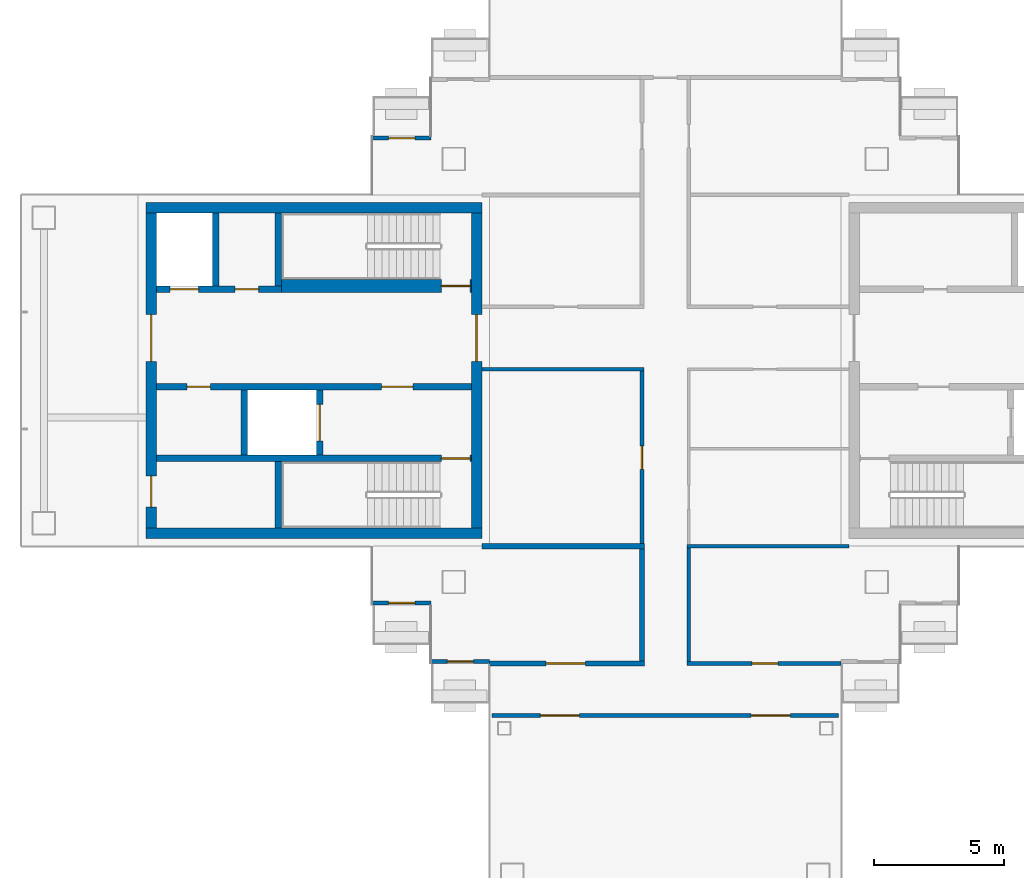
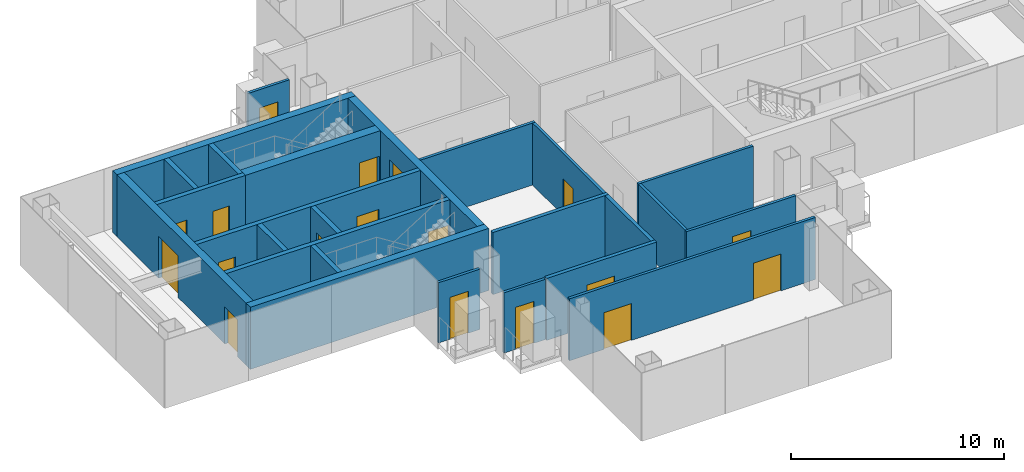
# One storey, part 9 of 16: 25 walls, 18 doors, 18 openings.
"""IFC4 building model written with IfcOpenShell, lengths in metres."""

from ifc_helpers import new_model, si_unit, direction, frame, frame_2d, origin, place, context, subcontext, project, spatial, rectangle, extrude, material, layer, layer_set, type_object, element, fill, save


model = new_model("IFC4")

# Units and contexts
model_context = context("Model", 3, precision=1e-05, world=origin(), true_north=direction((0.0, 1.0)))
body_context = subcontext(model_context, "Body", "Model", "MODEL_VIEW")
ifc_project = project(units=[si_unit("LENGTHUNIT", "METRE"), si_unit("AREAUNIT", "SQUARE_METRE"), si_unit("VOLUMEUNIT", "CUBIC_METRE"), si_unit("PLANEANGLEUNIT", "RADIAN"), si_unit("MASSUNIT", "GRAM", prefix="KILO")], contexts=[model_context])

# Site, building, storey
site_placement = place(None, origin())
site = spatial("IfcSite", under=ifc_project, at=site_placement, CompositionType="ELEMENT")
building_placement = place(site_placement, origin())
building = spatial("IfcBuilding", under=site, at=building_placement, Name="Shamsa Quay Exchange Towers", CompositionType="ELEMENT")
storey_placement = place(building_placement, frame((0.0, 0.0, 261.60009765625)))
storey = spatial("IfcBuildingStorey", under=building, at=storey_placement, Name="L63", CompositionType="ELEMENT", Elevation=261.60009765625)

# Wall, opening, door
ifc_material_1 = material(Name="Double-leaf gypsum board partition with acoustic insulation")
ifc_layer_1 = layer(ifc_material_1, 0.199951171875)
ifc_layer_set_1 = layer_set([ifc_layer_1], Name="Acoustic partition 200 mm EI 60")
wall_type_1 = type_object("IfcWallType", Name="Acoustic partition 200 mm EI 60", PredefinedType="PARTITIONING", material=ifc_layer_set_1)
wall_1_placement = place(storey_placement, frame((-40.5, -11.25, 0.0)))
wall_1 = element("IfcWall", 1, at=wall_1_placement, inside=storey, type_object=wall_type_1, Name="Partition T1-R29-W12", PredefinedType="PARTITIONING", context=body_context, shape_type="SweptSolid", body=[
    extrude(rectangle(XDim=5.94970703125, YDim=0.199951171875, at=frame_2d((2.974853515625, 0.0))), origin(), (0.0, 0.0, 1.0), 3.5498046875),
])
opening_1_placement = place(wall_1_placement, frame((2.1748046875, 0.0, 0.0)))
opening_1 = element("IfcOpeningElement", 2, at=opening_1_placement, cuts=wall_1, Name="Opening T1-R29-D03", PredefinedType="OPENING", context=body_context, shape_type="SweptSolid", body=[
    extrude(rectangle(XDim=1.5, YDim=2.39990234375, at=frame_2d((0.75, 1.199951171875))), frame((0.0, 0.10986328125, 0.0), z_axis=(0.0, -1.0, 0.0), x_axis=(1.0, 0.0, 0.0)), (0.0, 0.0, 1.0), 0.219970703125),
])
ifc_material_2 = material(Name="Timber door leaf in a metal frame", Category="wood")
door_type_1 = type_object("IfcDoorType", Name="Door 1500x2400 FD30S pair", OperationType="NOTDEFINED", PredefinedType="DOOR", material=ifc_material_2)
door_1_placement = place(opening_1_placement, origin())
door_1 = element("IfcDoor", 3, at=door_1_placement, inside=storey, type_object=door_type_1, Name="Door T1-R29-D03", OperationType="DOUBLE_DOOR_SINGLE_SWING", OverallHeight=2.39990234375, OverallWidth=1.5, PredefinedType="DOOR", context=body_context, shape_type="SweptSolid", body=[
    extrude(rectangle(XDim=1.5, YDim=2.39990234375, at=frame_2d((0.75, 1.199951171875))), frame((0.0, 0.02490234375, 0.0), z_axis=(0.0, -1.0, 0.0), x_axis=(1.0, 0.0, 0.0)), (0.0, 0.0, 1.0), 0.050048828125),
])
fill(opening_1, door_1)

# Walls
wall_2_placement = place(storey_placement, frame((-34.650390625, -11.14990234375, 0.0), z_axis=(0.0, 0.0, 1.0), x_axis=(0.0, 1.0, 0.0)))
element("IfcWall", 4, at=wall_2_placement, inside=storey, type_object=wall_type_1, Name="Partition T1-R29-W13", PredefinedType="PARTITIONING", context=body_context, shape_type="SweptSolid", body=[
    extrude(rectangle(XDim=4.2998046875, YDim=0.199951171875, at=frame_2d((2.14990234375, 0.0))), origin(), (0.0, 0.0, 1.0), 3.5498046875),
])
wall_3_placement = place(storey_placement, frame((-40.800048828125, -6.75, 0.0)))
element("IfcWall", 5, at=wall_3_placement, inside=storey, type_object=wall_type_1, Name="Partition T1-R29-W19", PredefinedType="PARTITIONING", context=body_context, shape_type="SweptSolid", body=[
    extrude(rectangle(XDim=6.249755859375, YDim=0.199951171875, at=frame_2d((3.125, 0.0))), origin(), (0.0, 0.0, 1.0), 3.5498046875),
])

# Wall, opening, door
ifc_material_3 = material(Name="Aluminium EN AW-6063 T6, black anodised, with black enamelled glass infill", Category="aluminium")
ifc_layer_2 = layer(ifc_material_3, 0.14990234375)
ifc_layer_set_2 = layer_set([ifc_layer_2], Name="BALCONY DOOR BAY WALL 150")
wall_type_2 = type_object("IfcWallType", Name="BALCONY DOOR BAY WALL 150", PredefinedType="SOLIDWALL", material=ifc_layer_set_2)
wall_4_placement = place(storey_placement, frame((-45.0, 8.925048828125, 0.0)))
wall_4 = element("IfcWall", 6, at=wall_4_placement, inside=storey, type_object=wall_type_2, Name="Door bay T1-PKWN L63", PredefinedType="SOLIDWALL", context=body_context, shape_type="SweptSolid", body=[
    extrude(rectangle(XDim=2.25, YDim=0.14990234375, at=frame_2d((1.125, 0.0))), origin(), (0.0, 0.0, 1.0), 3.449951171875),
])
opening_2_placement = place(wall_4_placement, frame((0.625, 0.0, 0.0)))
opening_2 = element("IfcOpeningElement", 7, at=opening_2_placement, cuts=wall_4, Name="Opening XD430", PredefinedType="OPENING", context=body_context, shape_type="SweptSolid", body=[
    extrude(rectangle(XDim=1.0, YDim=2.39990234375, at=frame_2d((0.5, 1.199951171875))), frame((0.0, 0.0849609375, 0.0), z_axis=(0.0, -1.0, 0.0), x_axis=(1.0, 0.0, 0.0)), (0.0, 0.0, 1.0), 0.169921875),
])
ifc_material_4 = material(Name="Aluminium EN AW-6063 T6, black anodised, with laminated glass leaf", Category="aluminium")
door_type_2 = type_object("IfcDoorType", Name="BALCONY DOOR 1000x2400", OperationType="SINGLE_SWING_LEFT", PredefinedType="DOOR", material=ifc_material_4)
door_2_placement = place(opening_2_placement, origin())
door_2 = element("IfcDoor", 8, at=door_2_placement, inside=storey, type_object=door_type_2, Name="Balcony door T1-PKWN L63", OperationType="SINGLE_SWING_RIGHT", OverallHeight=2.39990234375, OverallWidth=1.0, PredefinedType="DOOR", context=body_context, shape_type="SweptSolid", body=[
    extrude(rectangle(XDim=1.0, YDim=2.39990234375, at=frame_2d((0.5, 1.199951171875))), frame((0.0, 0.02490234375, 0.0), z_axis=(0.0, -1.0, 0.0), x_axis=(1.0, 0.0, 0.0)), (0.0, 0.0, 1.0), 0.050048828125),
])
fill(opening_2, door_2)

wall_5_placement = place(storey_placement, frame((-42.75, -8.925048828125, 0.0), z_axis=(0.0, 0.0, 1.0), x_axis=(-1.0, 0.0, 0.0)))
wall_5 = element("IfcWall", 9, at=wall_5_placement, inside=storey, type_object=wall_type_2, Name="Door bay T1-PKWS L63", PredefinedType="SOLIDWALL", context=body_context, shape_type="SweptSolid", body=[
    extrude(rectangle(XDim=2.25, YDim=0.14990234375, at=frame_2d((1.125, 0.0))), origin(), (0.0, 0.0, 1.0), 3.449951171875),
])
opening_3_placement = place(wall_5_placement, frame((0.625, 0.0, 0.0)))
opening_3 = element("IfcOpeningElement", 10, at=opening_3_placement, cuts=wall_5, Name="Opening XD431", PredefinedType="OPENING", context=body_context, shape_type="SweptSolid", body=[
    extrude(rectangle(XDim=1.0, YDim=2.39990234375, at=frame_2d((0.5, 1.199951171875))), frame((0.0, 0.0849609375, 0.0), z_axis=(0.0, -1.0, 0.0), x_axis=(1.0, 0.0, 0.0)), (0.0, 0.0, 1.0), 0.169921875),
])
door_3_placement = place(opening_3_placement, origin())
door_3 = element("IfcDoor", 11, at=door_3_placement, inside=storey, type_object=door_type_2, Name="Balcony door T1-PKWS L63", OperationType="SINGLE_SWING_LEFT", OverallHeight=2.39990234375, OverallWidth=1.0, PredefinedType="DOOR", context=body_context, shape_type="SweptSolid", body=[
    extrude(rectangle(XDim=1.0, YDim=2.39990234375, at=frame_2d((0.5, 1.199951171875))), frame((0.0, 0.02490234375, 0.0), z_axis=(0.0, -1.0, 0.0), x_axis=(1.0, 0.0, 0.0)), (0.0, 0.0, 1.0), 0.050048828125),
])
fill(opening_3, door_3)

wall_6_placement = place(storey_placement, frame((-40.5, -11.175048828125, 0.0), z_axis=(0.0, 0.0, 1.0), x_axis=(-1.0, 0.0, 0.0)))
wall_6 = element("IfcWall", 12, at=wall_6_placement, inside=storey, type_object=wall_type_2, Name="Door bay T1-PKWS L63", PredefinedType="SOLIDWALL", context=body_context, shape_type="SweptSolid", body=[
    extrude(rectangle(XDim=2.25, YDim=0.14990234375, at=frame_2d((1.125, 0.0))), origin(), (0.0, 0.0, 1.0), 3.449951171875),
])
opening_4_placement = place(wall_6_placement, frame((0.625, 0.0, 0.0)))
opening_4 = element("IfcOpeningElement", 13, at=opening_4_placement, cuts=wall_6, Name="Opening XD432", PredefinedType="OPENING", context=body_context, shape_type="SweptSolid", body=[
    extrude(rectangle(XDim=1.0, YDim=2.39990234375, at=frame_2d((0.5, 1.199951171875))), frame((0.0, 0.0849609375, 0.0), z_axis=(0.0, -1.0, 0.0), x_axis=(1.0, 0.0, 0.0)), (0.0, 0.0, 1.0), 0.169921875),
])
door_4_placement = place(opening_4_placement, origin())
door_4 = element("IfcDoor", 14, at=door_4_placement, inside=storey, type_object=door_type_2, Name="Balcony door T1-PKWS L63", OperationType="SINGLE_SWING_RIGHT", OverallHeight=2.39990234375, OverallWidth=1.0, PredefinedType="DOOR", context=body_context, shape_type="SweptSolid", body=[
    extrude(rectangle(XDim=1.0, YDim=2.39990234375, at=frame_2d((0.5, 1.199951171875))), frame((0.0, 0.02490234375, 0.0), z_axis=(0.0, -1.0, 0.0), x_axis=(1.0, 0.0, 0.0)), (0.0, 0.0, 1.0), 0.050048828125),
])
fill(opening_4, door_4)

# Walls
ifc_material_5 = material(Name="Concrete C60/75", Category="concrete")
ifc_layer_3 = layer(ifc_material_5, 0.39990234375)
ifc_layer_set_3 = layer_set([ifc_layer_3], Name="CORE WALL 400 C60/75")
wall_type_3 = type_object("IfcWallType", Name="CORE WALL 400 C60/75", PredefinedType="SHEAR", material=ifc_layer_set_3)
for number, where, z_axis, x_axis, name in (
    (15, (-40.800048828125, -6.25, 0.0), (0.0, 0.0, 1.0), (-1.0, 0.0, 0.0), "Core wall T1B-R29-PS"),
    (16, (-40.800048828125, 6.25, 0.0), (0.0, 0.0, 1.0), (-1.0, 0.0, 0.0), "Core wall T1B-R29-PN"),
):
    element("IfcWall", number, at=place(storey_placement, frame(where, z_axis=z_axis, x_axis=x_axis)), inside=storey, type_object=wall_type_3, Name=name, PredefinedType="SHEAR", context=body_context, shape_type="SweptSolid", body=[
        extrude(rectangle(XDim=12.89990234375, YDim=0.39990234375, at=frame_2d((6.449951171875, 0.0))), origin(), (0.0, 0.0, 1.0), 3.5498046875),
    ])

# Wall, opening, door
wall_7_placement = place(storey_placement, frame((-41.0, -6.050048828125, 0.0), z_axis=(0.0, 0.0, 1.0), x_axis=(0.0, 1.0, 0.0)))
wall_7 = element("IfcWall", 17, at=wall_7_placement, inside=storey, type_object=wall_type_3, Name="Core wall T1B-R29-PF", PredefinedType="SHEAR", context=body_context, shape_type="SweptSolid", body=[
    extrude(rectangle(XDim=12.10009765625, YDim=0.39990234375, at=frame_2d((6.050048828125, 0.0))), origin(), (0.0, 0.0, 1.0), 3.5498046875),
])
opening_5_placement = place(wall_7_placement, frame((6.39990234375, 0.0, 0.0)))
opening_5 = element("IfcOpeningElement", 18, at=opening_5_placement, cuts=wall_7, Name="Opening T1B-R29-LBD01", PredefinedType="OPENING", context=body_context, shape_type="SweptSolid", body=[
    extrude(rectangle(XDim=1.800048828125, YDim=2.39990234375, at=frame_2d((0.89990234375, 1.199951171875))), frame((0.0, 0.2099609375, 0.0), z_axis=(0.0, -1.0, 0.0), x_axis=(1.0, 0.0, 0.0)), (0.0, 0.0, 1.0), 0.419921875),
])
ifc_material_6 = material(Name="Steel, fire rated", Category="steel")
door_type_3 = type_object("IfcDoorType", Name="LIFT LOBBY DOOR PAIR 1800", OperationType="DOUBLE_DOOR_SINGLE_SWING", PredefinedType="DOOR", material=ifc_material_6)
door_5_placement = place(opening_5_placement, origin())
door_5 = element("IfcDoor", 19, at=door_5_placement, inside=storey, type_object=door_type_3, Name="T1B-R29-LBD01", OperationType="DOUBLE_DOOR_SINGLE_SWING", OverallHeight=2.39990234375, OverallWidth=1.800048828125, PredefinedType="DOOR", context=body_context, shape_type="SweptSolid", body=[
    extrude(rectangle(XDim=1.800048828125, YDim=2.39990234375, at=frame_2d((0.89990234375, 1.199951171875))), frame((0.0, 0.02490234375, 0.0), z_axis=(0.0, -1.0, 0.0), x_axis=(1.0, 0.0, 0.0)), (0.0, 0.0, 1.0), 0.050048828125),
])
fill(opening_5, door_5)

# Wall, openings, doors
wall_8_placement = place(storey_placement, frame((-53.5, -6.050048828125, 0.0), z_axis=(0.0, 0.0, 1.0), x_axis=(0.0, 1.0, 0.0)))
wall_8 = element("IfcWall", 20, at=wall_8_placement, inside=storey, type_object=wall_type_3, Name="Core wall T1B-R29-PB", PredefinedType="SHEAR", context=body_context, shape_type="SweptSolid", body=[
    extrude(rectangle(XDim=12.10009765625, YDim=0.39990234375, at=frame_2d((6.050048828125, 0.0))), origin(), (0.0, 0.0, 1.0), 3.5498046875),
])
opening_6_placement = place(wall_8_placement, frame((0.800048828125, 0.0, 0.0)))
opening_6 = element("IfcOpeningElement", 21, at=opening_6_placement, cuts=wall_8, Name="Opening T1B-R29-RD02", PredefinedType="OPENING", context=body_context, shape_type="SweptSolid", body=[
    extrude(rectangle(XDim=1.199951171875, YDim=2.10009765625, at=frame_2d((0.60009765625, 1.050048828125))), frame((0.0, 0.2099609375, 0.0), z_axis=(0.0, -1.0, 0.0), x_axis=(1.0, 0.0, 0.0)), (0.0, 0.0, 1.0), 0.419921875),
])
opening_7_placement = place(wall_8_placement, frame((6.39990234375, 0.0, 0.0)))
opening_7 = element("IfcOpeningElement", 22, at=opening_7_placement, cuts=wall_8, Name="Opening T1B-R29-LBD03", PredefinedType="OPENING", context=body_context, shape_type="SweptSolid", body=[
    extrude(rectangle(XDim=1.800048828125, YDim=2.39990234375, at=frame_2d((0.89990234375, 1.199951171875))), frame((0.0, 0.2099609375, 0.0), z_axis=(0.0, -1.0, 0.0), x_axis=(1.0, 0.0, 0.0)), (0.0, 0.0, 1.0), 0.419921875),
])
door_6_placement = place(opening_7_placement, origin())
door_6 = element("IfcDoor", 23, at=door_6_placement, inside=storey, type_object=door_type_3, Name="T1B-R29-LBD03", OperationType="DOUBLE_DOOR_SINGLE_SWING", OverallHeight=2.39990234375, OverallWidth=1.800048828125, PredefinedType="DOOR", context=body_context, shape_type="SweptSolid", body=[
    extrude(rectangle(XDim=1.800048828125, YDim=2.39990234375, at=frame_2d((0.89990234375, 1.199951171875))), frame((0.0, 0.02490234375, 0.0), z_axis=(0.0, -1.0, 0.0), x_axis=(1.0, 0.0, 0.0)), (0.0, 0.0, 1.0), 0.050048828125),
])
fill(opening_7, door_6)
door_type_4 = type_object("IfcDoorType", Name="RISER ACCESS DOOR 1200", OperationType="SINGLE_SWING_LEFT", PredefinedType="DOOR", material=ifc_material_6)
door_7_placement = place(opening_6_placement, origin())
door_7 = element("IfcDoor", 24, at=door_7_placement, inside=storey, type_object=door_type_4, Name="T1B-R29-RD02", OperationType="SINGLE_SWING_LEFT", OverallHeight=2.10009765625, OverallWidth=1.199951171875, PredefinedType="DOOR", context=body_context, shape_type="SweptSolid", body=[
    extrude(rectangle(XDim=1.199951171875, YDim=2.10009765625, at=frame_2d((0.60009765625, 1.050048828125))), frame((0.0, 0.02490234375, 0.0), z_axis=(0.0, -1.0, 0.0), x_axis=(1.0, 0.0, 0.0)), (0.0, 0.0, 1.0), 0.050048828125),
])
fill(opening_6, door_7)

# Wall, opening, door
ifc_material_7 = material(Name="Gypsum board partition on metal studs")
ifc_layer_4 = layer(ifc_material_7, 0.14990234375)
ifc_layer_set_4 = layer_set([ifc_layer_4], Name="Partition 150 mm EI 60")
wall_type_4 = type_object("IfcWallType", Name="Partition 150 mm EI 60", PredefinedType="PARTITIONING", material=ifc_layer_set_4)
wall_9_placement = place(storey_placement, frame((-34.650390625, -6.64990234375, 0.0), z_axis=(0.0, 0.0, 1.0), x_axis=(0.0, 1.0, 0.0)))
wall_9 = element("IfcWall", 25, at=wall_9_placement, inside=storey, type_object=wall_type_4, Name="Partition T1-R29-W06", PredefinedType="PARTITIONING", context=body_context, shape_type="SweptSolid", body=[
    extrude(rectangle(XDim=6.624755859375, YDim=0.14990234375, at=frame_2d((3.3125, 0.0))), origin(), (0.0, 0.0, 1.0), 3.5498046875),
])
opening_8_placement = place(wall_9_placement, frame((2.849853515625, 0.0, 0.0)))
opening_8 = element("IfcOpeningElement", 26, at=opening_8_placement, cuts=wall_9, Name="Opening T1-R29-D05", PredefinedType="OPENING", context=body_context, shape_type="SweptSolid", body=[
    extrude(rectangle(XDim=0.89990234375, YDim=2.10009765625, at=frame_2d((0.449951171875, 1.050048828125))), frame((0.0, 0.0849609375, 0.0), z_axis=(0.0, -1.0, 0.0), x_axis=(1.0, 0.0, 0.0)), (0.0, 0.0, 1.0), 0.169921875),
])
door_type_5 = type_object("IfcDoorType", Name="Door 900x2100 FD30S", OperationType="NOTDEFINED", PredefinedType="DOOR", material=ifc_material_2)
door_8_placement = place(opening_8_placement, origin())
door_8 = element("IfcDoor", 27, at=door_8_placement, inside=storey, type_object=door_type_5, Name="Door T1-R29-D05", OperationType="SINGLE_SWING_RIGHT", OverallHeight=2.10009765625, OverallWidth=0.89990234375, PredefinedType="DOOR", context=body_context, shape_type="SweptSolid", body=[
    extrude(rectangle(XDim=0.89990234375, YDim=2.10009765625, at=frame_2d((0.449951171875, 1.050048828125))), frame((0.0, 0.02490234375, 0.0), z_axis=(0.0, -1.0, 0.0), x_axis=(1.0, 0.0, 0.0)), (0.0, 0.0, 1.0), 0.050048828125),
])
fill(opening_8, door_8)

# Walls
wall_10_placement = place(storey_placement, frame((-34.575439453125, 0.0498046875, 0.0), z_axis=(0.0, 0.0, 1.0), x_axis=(-1.0, 0.0, 0.0)))
element("IfcWall", 28, at=wall_10_placement, inside=storey, type_object=wall_type_4, Name="Partition T1-R29-W08", PredefinedType="PARTITIONING", context=body_context, shape_type="SweptSolid", body=[
    extrude(rectangle(XDim=6.224609375, YDim=0.14990234375, at=frame_2d((3.1123046875, 0.0))), origin(), (0.0, 0.0, 1.0), 3.5498046875),
])
wall_11_placement = place(storey_placement, frame((-32.849609375, -6.824951171875, 0.0), z_axis=(0.0, 0.0, 1.0), x_axis=(0.0, -1.0, 0.0)))
element("IfcWall", 29, at=wall_11_placement, inside=storey, type_object=wall_type_4, Name="Partition T1-R29-W10", PredefinedType="PARTITIONING", context=body_context, shape_type="SweptSolid", body=[
    extrude(rectangle(XDim=4.35009765625, YDim=0.14990234375, at=frame_2d((2.175048828125, 0.0))), origin(), (0.0, 0.0, 1.0), 3.5498046875),
])

# Wall, opening, door
wall_12_placement = place(storey_placement, frame((-32.924560546875, -11.25, 0.0)))
wall_12 = element("IfcWall", 30, at=wall_12_placement, inside=storey, type_object=wall_type_4, Name="Partition T1-R29-W11", PredefinedType="PARTITIONING", context=body_context, shape_type="SweptSolid", body=[
    extrude(rectangle(XDim=5.924560546875, YDim=0.14990234375, at=frame_2d((2.96240234375, 0.0))), origin(), (0.0, 0.0, 1.0), 3.5498046875),
])
opening_9_placement = place(wall_12_placement, frame((2.499755859375, 0.0, 0.0)))
opening_9 = element("IfcOpeningElement", 31, at=opening_9_placement, cuts=wall_12, Name="Opening T1-R29-D08", PredefinedType="OPENING", context=body_context, shape_type="SweptSolid", body=[
    extrude(rectangle(XDim=1.0, YDim=2.39990234375, at=frame_2d((0.5, 1.199951171875))), frame((0.0, 0.0849609375, 0.0), z_axis=(0.0, -1.0, 0.0), x_axis=(1.0, 0.0, 0.0)), (0.0, 0.0, 1.0), 0.169921875),
])
door_type_6 = type_object("IfcDoorType", Name="Door 1000x2400 FD30S", OperationType="NOTDEFINED", PredefinedType="DOOR", material=ifc_material_2)
door_9_placement = place(opening_9_placement, origin())
door_9 = element("IfcDoor", 32, at=door_9_placement, inside=storey, type_object=door_type_6, Name="Door T1-R29-D08", OperationType="SINGLE_SWING_LEFT", OverallHeight=2.39990234375, OverallWidth=1.0, PredefinedType="DOOR", context=body_context, shape_type="SweptSolid", body=[
    extrude(rectangle(XDim=1.0, YDim=2.39990234375, at=frame_2d((0.5, 1.199951171875))), frame((0.0, 0.02490234375, 0.0), z_axis=(0.0, -1.0, 0.0), x_axis=(1.0, 0.0, 0.0)), (0.0, 0.0, 1.0), 0.050048828125),
])
fill(opening_9, door_9)

# Wall, openings, doors
wall_13_placement = place(storey_placement, frame((-40.405029296875, -13.25, 0.0)))
wall_13 = element("IfcWall", 33, at=wall_13_placement, inside=storey, type_object=wall_type_4, Name="Partition T1-R29-W14", PredefinedType="PARTITIONING", context=body_context, shape_type="SweptSolid", body=[
    extrude(rectangle(XDim=13.31005859375, YDim=0.14990234375, at=frame_2d((6.655029296875, 0.0))), origin(), (0.0, 0.0, 1.0), 3.5498046875),
])
opening_10_placement = place(wall_13_placement, frame((1.85498046875, 0.0, 0.0)))
opening_10 = element("IfcOpeningElement", 34, at=opening_10_placement, cuts=wall_13, Name="Opening T1-R29-D01", PredefinedType="OPENING", context=body_context, shape_type="SweptSolid", body=[
    extrude(rectangle(XDim=1.5, YDim=2.10009765625, at=frame_2d((0.75, 1.050048828125))), frame((0.0, 0.0849609375, 0.0), z_axis=(0.0, -1.0, 0.0), x_axis=(1.0, 0.0, 0.0)), (0.0, 0.0, 1.0), 0.169921875),
])
opening_11_placement = place(wall_13_placement, frame((9.955078125, 0.0, 0.0)))
opening_11 = element("IfcOpeningElement", 35, at=opening_11_placement, cuts=wall_13, Name="Opening T1-R29-D02", PredefinedType="OPENING", context=body_context, shape_type="SweptSolid", body=[
    extrude(rectangle(XDim=1.5, YDim=2.10009765625, at=frame_2d((0.75, 1.050048828125))), frame((0.0, 0.0849609375, 0.0), z_axis=(0.0, -1.0, 0.0), x_axis=(1.0, 0.0, 0.0)), (0.0, 0.0, 1.0), 0.169921875),
])
door_type_7 = type_object("IfcDoorType", Name="Door 1500x2100 FD30S pair", OperationType="NOTDEFINED", PredefinedType="DOOR", material=ifc_material_2)
door_10_placement = place(opening_10_placement, origin())
door_10 = element("IfcDoor", 36, at=door_10_placement, inside=storey, type_object=door_type_7, Name="Door T1-R29-D01", OperationType="DOUBLE_DOOR_SINGLE_SWING", OverallHeight=2.10009765625, OverallWidth=1.5, PredefinedType="DOOR", context=body_context, shape_type="SweptSolid", body=[
    extrude(rectangle(XDim=1.5, YDim=2.10009765625, at=frame_2d((0.75, 1.050048828125))), frame((0.0, 0.02490234375, 0.0), z_axis=(0.0, -1.0, 0.0), x_axis=(1.0, 0.0, 0.0)), (0.0, 0.0, 1.0), 0.050048828125),
])
fill(opening_10, door_10)
door_11_placement = place(opening_11_placement, origin())
door_11 = element("IfcDoor", 37, at=door_11_placement, inside=storey, type_object=door_type_7, Name="Door T1-R29-D02", OperationType="DOUBLE_DOOR_SINGLE_SWING", OverallHeight=2.10009765625, OverallWidth=1.5, PredefinedType="DOOR", context=body_context, shape_type="SweptSolid", body=[
    extrude(rectangle(XDim=1.5, YDim=2.10009765625, at=frame_2d((0.75, 1.050048828125))), frame((0.0, 0.02490234375, 0.0), z_axis=(0.0, -1.0, 0.0), x_axis=(1.0, 0.0, 0.0)), (0.0, 0.0, 1.0), 0.050048828125),
])
fill(opening_11, door_11)

# Wall
wall_14_placement = place(storey_placement, frame((-32.924560546875, -6.75, 0.0)))
element("IfcWall", 38, at=wall_14_placement, inside=storey, type_object=wall_type_4, Name="Partition T1-R29-W17", PredefinedType="PARTITIONING", context=body_context, shape_type="SweptSolid", body=[
    extrude(rectangle(XDim=6.224609375, YDim=0.14990234375, at=frame_2d((3.1123046875, 0.0))), origin(), (0.0, 0.0, 1.0), 3.5498046875),
])

# Wall, opening, door
ifc_material_8 = material(Name="Concrete C50/60", Category="concrete")
ifc_layer_5 = layer(ifc_material_8, 0.25)
ifc_layer_set_5 = layer_set([ifc_layer_5], Name="SHAFT WALL 250 C50/60")
wall_type_5 = type_object("IfcWallType", Name="SHAFT WALL 250 C50/60", PredefinedType="SHEAR", material=ifc_layer_set_5)
wall_15_placement = place(storey_placement, frame((-41.199951171875, -3.375, 0.0), z_axis=(0.0, 0.0, 1.0), x_axis=(-1.0, 0.0, 0.0)))
wall_15 = element("IfcWall", 39, at=wall_15_placement, inside=storey, type_object=wall_type_5, Name="Shaft wall T1B-R29-STL", PredefinedType="SHEAR", context=body_context, shape_type="SweptSolid", body=[
    extrude(rectangle(XDim=12.10009765625, YDim=0.25, at=frame_2d((6.050048828125, 0.0))), origin(), (0.0, 0.0, 1.0), 3.5498046875),
])
opening_12_placement = place(wall_15_placement, frame((0.050048828125, 0.0, 0.0)))
opening_12 = element("IfcOpeningElement", 40, at=opening_12_placement, cuts=wall_15, Name="Opening T1B-R29-SD04", PredefinedType="OPENING", context=body_context, shape_type="SweptSolid", body=[
    extrude(rectangle(XDim=1.10009765625, YDim=2.10009765625, at=frame_2d((0.550048828125, 1.050048828125))), frame((0.0, 0.135009765625, 0.0), z_axis=(0.0, -1.0, 0.0), x_axis=(1.0, 0.0, 0.0)), (0.0, 0.0, 1.0), 0.27001953125),
])
door_type_8 = type_object("IfcDoorType", Name="STAIR DOOR 1100", OperationType="SINGLE_SWING_LEFT", PredefinedType="DOOR", material=ifc_material_6)
door_12_placement = place(opening_12_placement, origin())
door_12 = element("IfcDoor", 41, at=door_12_placement, inside=storey, type_object=door_type_8, Name="T1B-R29-SD04", OperationType="SINGLE_SWING_LEFT", OverallHeight=2.10009765625, OverallWidth=1.10009765625, PredefinedType="DOOR", context=body_context, shape_type="SweptSolid", body=[
    extrude(rectangle(XDim=1.10009765625, YDim=2.10009765625, at=frame_2d((0.550048828125, 1.050048828125))), frame((0.0, 0.02490234375, 0.0), z_axis=(0.0, -1.0, 0.0), x_axis=(1.0, 0.0, 0.0)), (0.0, 0.0, 1.0), 0.050048828125),
])
fill(opening_12, door_12)

# Wall
wall_16_placement = place(storey_placement, frame((-48.625, -6.050048828125, 0.0), z_axis=(0.0, 0.0, 1.0), x_axis=(0.0, 1.0, 0.0)))
element("IfcWall", 42, at=wall_16_placement, inside=storey, type_object=wall_type_5, Name="Shaft wall T1B-R29-STF", PredefinedType="SHEAR", context=body_context, shape_type="SweptSolid", body=[
    extrude(rectangle(XDim=2.550048828125, YDim=0.25, at=frame_2d((1.27490234375, 0.0))), origin(), (0.0, 0.0, 1.0), 3.5498046875),
])

# Wall, openings, doors
wall_17_placement = place(storey_placement, frame((-41.199951171875, -0.625, 0.0), z_axis=(0.0, 0.0, 1.0), x_axis=(-1.0, 0.0, 0.0)))
wall_17 = element("IfcWall", 43, at=wall_17_placement, inside=storey, type_object=wall_type_5, Name="Shaft wall T1B-R29-B", PredefinedType="SHEAR", context=body_context, shape_type="SweptSolid", body=[
    extrude(rectangle(XDim=12.10009765625, YDim=0.25, at=frame_2d((6.050048828125, 0.0))), origin(), (0.0, 0.0, 1.0), 3.5498046875),
])
opening_13_placement = place(wall_17_placement, frame((2.25, 0.0, 0.0)))
opening_13 = element("IfcOpeningElement", 44, at=opening_13_placement, cuts=wall_17, Name="Opening T1B-R29-FD05", PredefinedType="OPENING", context=body_context, shape_type="SweptSolid", body=[
    extrude(rectangle(XDim=1.199951171875, YDim=2.10009765625, at=frame_2d((0.60009765625, 1.050048828125))), frame((0.0, 0.135009765625, 0.0), z_axis=(0.0, -1.0, 0.0), x_axis=(1.0, 0.0, 0.0)), (0.0, 0.0, 1.0), 0.27001953125),
])
opening_14_placement = place(wall_17_placement, frame((10.02490234375, 0.0, 0.0)))
opening_14 = element("IfcOpeningElement", 45, at=opening_14_placement, cuts=wall_17, Name="Opening T1B-R29-SV06", PredefinedType="OPENING", context=body_context, shape_type="SweptSolid", body=[
    extrude(rectangle(XDim=0.89990234375, YDim=2.10009765625, at=frame_2d((0.449951171875, 1.050048828125))), frame((0.0, 0.135009765625, 0.0), z_axis=(0.0, -1.0, 0.0), x_axis=(1.0, 0.0, 0.0)), (0.0, 0.0, 1.0), 0.27001953125),
])
door_type_9 = type_object("IfcDoorType", Name="FIRE SERVICE LOBBY DOOR 1200", OperationType="SINGLE_SWING_LEFT", PredefinedType="DOOR", material=ifc_material_6)
door_13_placement = place(opening_13_placement, origin())
door_13 = element("IfcDoor", 46, at=door_13_placement, inside=storey, type_object=door_type_9, Name="T1B-R29-FD05", OperationType="SINGLE_SWING_LEFT", OverallHeight=2.10009765625, OverallWidth=1.199951171875, PredefinedType="DOOR", context=body_context, shape_type="SweptSolid", body=[
    extrude(rectangle(XDim=1.199951171875, YDim=2.10009765625, at=frame_2d((0.60009765625, 1.050048828125))), frame((0.0, 0.02490234375, 0.0), z_axis=(0.0, -1.0, 0.0), x_axis=(1.0, 0.0, 0.0)), (0.0, 0.0, 1.0), 0.050048828125),
])
fill(opening_13, door_13)
door_type_10 = type_object("IfcDoorType", Name="SERVICE ROOM DOOR 900", OperationType="SINGLE_SWING_LEFT", PredefinedType="DOOR", material=ifc_material_6)
door_14_placement = place(opening_14_placement, origin())
door_14 = element("IfcDoor", 47, at=door_14_placement, inside=storey, type_object=door_type_10, Name="T1B-R29-SV06", OperationType="SINGLE_SWING_RIGHT", OverallHeight=2.10009765625, OverallWidth=0.89990234375, PredefinedType="DOOR", context=body_context, shape_type="SweptSolid", body=[
    extrude(rectangle(XDim=0.89990234375, YDim=2.10009765625, at=frame_2d((0.449951171875, 1.050048828125))), frame((0.0, 0.02490234375, 0.0), z_axis=(0.0, -1.0, 0.0), x_axis=(1.0, 0.0, 0.0)), (0.0, 0.0, 1.0), 0.050048828125),
])
fill(opening_14, door_14)

# Wall, opening, door
wall_18_placement = place(storey_placement, frame((-47.02490234375, -3.25, 0.0), z_axis=(0.0, 0.0, 1.0), x_axis=(0.0, 1.0, 0.0)))
wall_18 = element("IfcWall", 48, at=wall_18_placement, inside=storey, type_object=wall_type_5, Name="Shaft wall T1B-R29-FFF", PredefinedType="SHEAR", context=body_context, shape_type="SweptSolid", body=[
    extrude(rectangle(XDim=2.5, YDim=0.25, at=frame_2d((1.25, 0.0))), origin(), (0.0, 0.0, 1.0), 3.5498046875),
])
opening_15_placement = place(wall_18_placement, frame((0.550048828125, 0.0, 0.0)))
opening_15 = element("IfcOpeningElement", 49, at=opening_15_placement, cuts=wall_18, Name="Opening T1B-R29-LDG07", PredefinedType="OPENING", context=body_context, shape_type="SweptSolid", body=[
    extrude(rectangle(XDim=1.39990234375, YDim=2.39990234375, at=frame_2d((0.699951171875, 1.199951171875))), frame((0.0, 0.135009765625, 0.0), z_axis=(0.0, -1.0, 0.0), x_axis=(1.0, 0.0, 0.0)), (0.0, 0.0, 1.0), 0.27001953125),
])
door_type_11 = type_object("IfcDoorType", Name="GOODS LIFT LANDING DOOR 1400", OperationType="SLIDING_TO_LEFT", PredefinedType="DOOR", material=ifc_material_6)
door_15_placement = place(opening_15_placement, origin())
door_15 = element("IfcDoor", 50, at=door_15_placement, inside=storey, type_object=door_type_11, Name="T1B-R29-LDG07", OperationType="SLIDING_TO_LEFT", OverallHeight=2.39990234375, OverallWidth=1.39990234375, PredefinedType="DOOR", context=body_context, shape_type="SweptSolid", body=[
    extrude(rectangle(XDim=1.39990234375, YDim=2.39990234375, at=frame_2d((0.699951171875, 1.199951171875))), frame((0.0, 0.02490234375, 0.0), z_axis=(0.0, -1.0, 0.0), x_axis=(1.0, 0.0, 0.0)), (0.0, 0.0, 1.0), 0.050048828125),
])
fill(opening_15, door_15)

# Wall
wall_19_placement = place(storey_placement, frame((-49.925048828125, -3.25, 0.0), z_axis=(0.0, 0.0, 1.0), x_axis=(0.0, 1.0, 0.0)))
element("IfcWall", 51, at=wall_19_placement, inside=storey, type_object=wall_type_5, Name="Shaft wall T1B-R29-FFB", PredefinedType="SHEAR", context=body_context, shape_type="SweptSolid", body=[
    extrude(rectangle(XDim=2.5, YDim=0.25, at=frame_2d((1.25, 0.0))), origin(), (0.0, 0.0, 1.0), 3.5498046875),
])

# Wall, openings, doors
wall_20_placement = place(storey_placement, frame((-53.300048828125, 3.125, 0.0)))
wall_20 = element("IfcWall", 52, at=wall_20_placement, inside=storey, type_object=wall_type_5, Name="Shaft wall T1B-R29-N2", PredefinedType="SHEAR", context=body_context, shape_type="SweptSolid", body=[
    extrude(rectangle(XDim=4.800048828125, YDim=0.25, at=frame_2d((2.39990234375, 0.0))), origin(), (0.0, 0.0, 1.0), 3.5498046875),
])
opening_16_placement = place(wall_20_placement, frame((0.52490234375, 0.0, 0.0)))
opening_16 = element("IfcOpeningElement", 53, at=opening_16_placement, cuts=wall_20, Name="Opening T1B-R29-LD09", PredefinedType="OPENING", context=body_context, shape_type="SweptSolid", body=[
    extrude(rectangle(XDim=1.10009765625, YDim=2.10009765625, at=frame_2d((0.550048828125, 1.050048828125))), frame((0.0, 0.135009765625, 0.0), z_axis=(0.0, -1.0, 0.0), x_axis=(1.0, 0.0, 0.0)), (0.0, 0.0, 1.0), 0.27001953125),
])
opening_17_placement = place(wall_20_placement, frame((3.02490234375, 0.0, 0.0)))
opening_17 = element("IfcOpeningElement", 54, at=opening_17_placement, cuts=wall_20, Name="Opening T1B-R29-SV10", PredefinedType="OPENING", context=body_context, shape_type="SweptSolid", body=[
    extrude(rectangle(XDim=0.89990234375, YDim=2.10009765625, at=frame_2d((0.449951171875, 1.050048828125))), frame((0.0, 0.135009765625, 0.0), z_axis=(0.0, -1.0, 0.0), x_axis=(1.0, 0.0, 0.0)), (0.0, 0.0, 1.0), 0.27001953125),
])
door_type_12 = type_object("IfcDoorType", Name="LANDING DOOR 1100", OperationType="SLIDING_TO_LEFT", PredefinedType="DOOR", material=ifc_material_6)
door_16_placement = place(opening_16_placement, origin())
door_16 = element("IfcDoor", 55, at=door_16_placement, inside=storey, type_object=door_type_12, Name="T1B-R29-LD09", OperationType="SLIDING_TO_LEFT", OverallHeight=2.10009765625, OverallWidth=1.10009765625, PredefinedType="DOOR", context=body_context, shape_type="SweptSolid", body=[
    extrude(rectangle(XDim=1.10009765625, YDim=2.10009765625, at=frame_2d((0.550048828125, 1.050048828125))), frame((0.0, 0.02490234375, 0.0), z_axis=(0.0, -1.0, 0.0), x_axis=(1.0, 0.0, 0.0)), (0.0, 0.0, 1.0), 0.050048828125),
])
fill(opening_16, door_16)
door_17_placement = place(opening_17_placement, origin())
door_17 = element("IfcDoor", 56, at=door_17_placement, inside=storey, type_object=door_type_10, Name="T1B-R29-SV10", OperationType="SINGLE_SWING_RIGHT", OverallHeight=2.10009765625, OverallWidth=0.89990234375, PredefinedType="DOOR", context=body_context, shape_type="SweptSolid", body=[
    extrude(rectangle(XDim=0.89990234375, YDim=2.10009765625, at=frame_2d((0.449951171875, 1.050048828125))), frame((0.0, 0.02490234375, 0.0), z_axis=(0.0, -1.0, 0.0), x_axis=(1.0, 0.0, 0.0)), (0.0, 0.0, 1.0), 0.050048828125),
])
fill(opening_17, door_17)

# Walls
for number, where, z_axis, x_axis, name in (
    (57, (-48.625, 3.25, 0.0), (0.0, 0.0, 1.0), (0.0, 1.0, 0.0), "Shaft wall T1B-R29-STF2"),
    (58, (-51.02490234375, 3.25, 0.0), (0.0, 0.0, 1.0), (0.0, 1.0, 0.0), "Shaft wall T1B-R29-D0"),
):
    element("IfcWall", number, at=place(storey_placement, frame(where, z_axis=z_axis, x_axis=x_axis)), inside=storey, type_object=wall_type_5, Name=name, PredefinedType="SHEAR", context=body_context, shape_type="SweptSolid", body=[
        extrude(rectangle(XDim=2.800048828125, YDim=0.25, at=frame_2d((1.39990234375, 0.0))), origin(), (0.0, 0.0, 1.0), 3.5498046875),
    ])

# Wall, opening, door
ifc_layer_6 = layer(ifc_material_8, 0.5)
ifc_layer_set_6 = layer_set([ifc_layer_6], Name="SHAFT WALL 500 C50/60")
wall_type_6 = type_object("IfcWallType", Name="SHAFT WALL 500 C50/60", PredefinedType="SHEAR", material=ifc_layer_set_6)
wall_21_placement = place(storey_placement, frame((-48.5, 3.25, 0.0)))
wall_21 = element("IfcWall", 59, at=wall_21_placement, inside=storey, type_object=wall_type_6, Name="Shaft wall T1B-R29-N", PredefinedType="SHEAR", context=body_context, shape_type="SweptSolid", body=[
    extrude(rectangle(XDim=7.300048828125, YDim=0.5, at=frame_2d((3.64990234375, 0.0))), origin(), (0.0, 0.0, 1.0), 3.5498046875),
])
opening_18_placement = place(wall_21_placement, frame((6.14990234375, 0.0, 0.0)))
opening_18 = element("IfcOpeningElement", 60, at=opening_18_placement, cuts=wall_21, Name="Opening T1B-R29-SD08", PredefinedType="OPENING", context=body_context, shape_type="SweptSolid", body=[
    extrude(rectangle(XDim=1.10009765625, YDim=2.10009765625, at=frame_2d((0.550048828125, 1.050048828125))), frame((0.0, 0.260009765625, 0.0), z_axis=(0.0, -1.0, 0.0), x_axis=(1.0, 0.0, 0.0)), (0.0, 0.0, 1.0), 0.52001953125),
])
door_18_placement = place(opening_18_placement, origin())
door_18 = element("IfcDoor", 61, at=door_18_placement, inside=storey, type_object=door_type_8, Name="T1B-R29-SD08", OperationType="SINGLE_SWING_RIGHT", OverallHeight=2.10009765625, OverallWidth=1.10009765625, PredefinedType="DOOR", context=body_context, shape_type="SweptSolid", body=[
    extrude(rectangle(XDim=1.10009765625, YDim=2.10009765625, at=frame_2d((0.550048828125, 1.050048828125))), frame((0.0, 0.02490234375, 0.0), z_axis=(0.0, -1.0, 0.0), x_axis=(1.0, 0.0, 0.0)), (0.0, 0.0, 1.0), 0.050048828125),
])
fill(opening_18, door_18)

save(model, "model.ifc")
